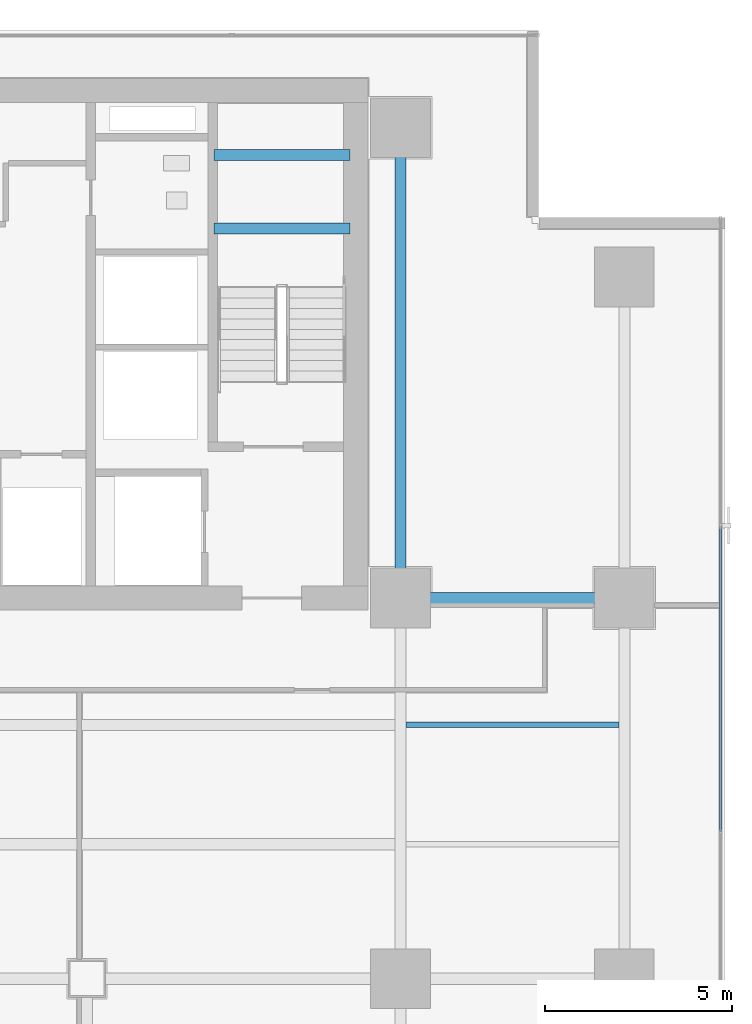
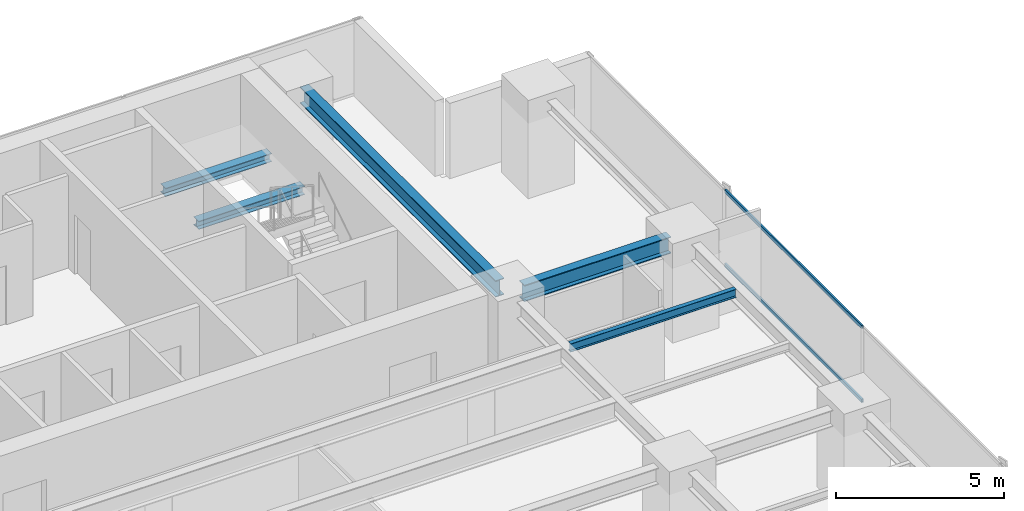
# One storey, part 23 of 37: 5 beams, 2 members, 1 element without a shape of its own.
"""IFC4 building model written with IfcOpenShell, lengths in metres."""

from ifc_helpers import new_model, si_unit, direction, frame, origin, origin_2d, place, context, subcontext, project, spatial, hollow_rectangle, i_section, extrude, source, transform, mapped, material, layer, layer_set, material_profile, profile_set, type_object, element, aggregate, save


model = new_model("IFC4")

# Units and contexts
model_context = context("Model", 3, precision=1e-05, world=origin(), true_north=direction((0.0, 1.0)))
body_context = subcontext(model_context, "Body", "Model", "MODEL_VIEW")
ifc_project = project(units=[si_unit("LENGTHUNIT", "METRE"), si_unit("AREAUNIT", "SQUARE_METRE"), si_unit("VOLUMEUNIT", "CUBIC_METRE"), si_unit("PLANEANGLEUNIT", "RADIAN"), si_unit("MASSUNIT", "GRAM", prefix="KILO")], contexts=[model_context])

# Site, building, storey
site_placement = place(None, origin())
site = spatial("IfcSite", under=ifc_project, at=site_placement, CompositionType="ELEMENT")
building_placement = place(site_placement, origin())
building = spatial("IfcBuilding", under=site, at=building_placement, Name="Sumidabori Civic Tower", CompositionType="ELEMENT")
storey_placement = place(building_placement, frame((0.0, 0.0, 81.199951171875)))
storey = spatial("IfcBuildingStorey", under=building, at=storey_placement, Name="L20", CompositionType="ELEMENT", Elevation=81.199951171875)

# Beams
ifc_material_1 = material(Name="Steel SN490", Category="steel")
ifc_material_profile_1 = material_profile(ifc_material_1, i_section(OverallWidth=0.300048828125, OverallDepth=0.300048828125, WebThickness=0.010986328125, FlangeThickness=0.01904296875, at=origin_2d()), Name="HE 300 B")
ifc_profile_set_1 = profile_set([ifc_material_profile_1], Name="Steel SN490")
beam_type_1 = type_object("IfcBeamType", Name="BM-LDG-300", PredefinedType="BEAM", material=ifc_profile_set_1)
shared_shape_1 = source(origin(), body_context, "Body", "SweptSolid", [
    extrude(i_section(OverallWidth=0.300048828125, OverallDepth=0.300048828125, WebThickness=0.010986328125, FlangeThickness=0.01904296875, at=origin_2d()), origin(), (0.0, 0.0, 1.0), 3.64990234375),
])
for number, where, z_axis, x_axis, name in (
    (1, (11.800048828125, 20.09765625, 1.449951171875), (1.0, 0.0, 0.0), (0.0, 1.0, 0.0), "Stair ST-2 Landing Support Beam L20-1A"),
    (2, (11.800048828125, 22.069580078125, 1.449951171875), (1.0, 0.0, 0.0), (0.0, 1.0, 0.0), "Stair ST-2 Landing Trimmer Beam L20-1B"),
):
    element("IfcBeam", number, at=place(storey_placement, frame(where, z_axis=z_axis, x_axis=x_axis)), inside=storey, type_object=beam_type_1, Name=name, PredefinedType="BEAM", context=body_context, shape_type="MappedRepresentation", body=[
        mapped(shared_shape_1, transform((0.0, 0.0, 0.0), x_axis=(1.0, 0.0, 0.0), y_axis=(0.0, 1.0, 0.0), z_axis=(0.0, 0.0, 1.0), scale=1.0)),
    ])
ifc_material_profile_2 = material_profile(ifc_material_1, i_section(OverallWidth=0.300048828125, OverallDepth=0.60009765625, WebThickness=0.015380859375, FlangeThickness=0.030029296875, at=origin_2d()), Name="HE 600 B")
ifc_profile_set_2 = profile_set([ifc_material_profile_2], Name="Steel SN490")
beam_type_2 = type_object("IfcBeamType", Name="BM-GIRD-600", PredefinedType="BEAM", material=ifc_profile_set_2)
shared_shape_2 = source(origin(), body_context, "Body", "SweptSolid", [
    extrude(i_section(OverallWidth=0.300048828125, OverallDepth=0.60009765625, WebThickness=0.015380859375, FlangeThickness=0.030029296875, at=origin_2d()), origin(), (0.0, 0.0, 1.0), 5.0400390625),
])
beam_1_placement = place(storey_placement, frame((17.280029296875, 10.199951171875, 3.06005859375), z_axis=(1.0, 0.0, 0.0), x_axis=(0.0, 1.0, 0.0)))
element("IfcBeam", 3, at=beam_1_placement, inside=storey, type_object=beam_type_2, Name="Primary Girder L20 GX-20", PredefinedType="BEAM", context=body_context, shape_type="MappedRepresentation", body=[
    mapped(shared_shape_2, transform((0.0, 0.0, 0.0), x_axis=(1.0, 0.0, 0.0), y_axis=(0.0, 1.0, 0.0), z_axis=(0.0, 0.0, 1.0), scale=1.0)),
])
shared_shape_3 = source(origin(), body_context, "Body", "SweptSolid", [
    extrude(i_section(OverallWidth=0.300048828125, OverallDepth=0.60009765625, WebThickness=0.015380859375, FlangeThickness=0.030029296875, at=origin_2d()), origin(), (0.0, 0.0, 1.0), 11.64013671875),
])
beam_2_placement = place(storey_placement, frame((16.800048828125, 10.679931640625, 3.06005859375), z_axis=(0.0, 1.0, 0.0), x_axis=(-1.0, 0.0, 0.0)))
element("IfcBeam", 4, at=beam_2_placement, inside=storey, type_object=beam_type_2, Name="Primary Girder L20 GY-38", PredefinedType="BEAM", context=body_context, shape_type="MappedRepresentation", body=[
    mapped(shared_shape_3, transform((0.0, 0.0, 0.0), x_axis=(1.0, 0.0, 0.0), y_axis=(0.0, 1.0, 0.0), z_axis=(0.0, 0.0, 1.0), scale=1.0)),
])
ifc_material_profile_3 = material_profile(ifc_material_1, i_section(OverallWidth=0.14990234375, OverallDepth=0.300048828125, WebThickness=0.007080078125, FlangeThickness=0.0107421875, at=origin_2d()), Name="IPE 300")
ifc_profile_set_3 = profile_set([ifc_material_profile_3], Name="Steel SN490")
beam_type_3 = type_object("IfcBeamType", Name="BM-JST-300", PredefinedType="JOIST", material=ifc_profile_set_3)
shared_shape_4 = source(origin(), body_context, "Body", "SweptSolid", [
    extrude(i_section(OverallWidth=0.14990234375, OverallDepth=0.300048828125, WebThickness=0.007080078125, FlangeThickness=0.0107421875, at=origin_2d()), origin(), (0.0, 0.0, 1.0), 5.699951171875),
])
beam_3_placement = place(storey_placement, frame((16.949951171875, 6.800048828125, 3.2099609375), z_axis=(1.0, 0.0, 0.0), x_axis=(0.0, 1.0, 0.0)))
element("IfcBeam", 5, at=beam_3_placement, inside=storey, type_object=beam_type_3, Name="Outer Bay Floor Joist L20 JSTO-50", PredefinedType="JOIST", context=body_context, shape_type="MappedRepresentation", body=[
    mapped(shared_shape_4, transform((0.0, 0.0, 0.0), x_axis=(1.0, 0.0, 0.0), y_axis=(0.0, 1.0, 0.0), z_axis=(0.0, 0.0, 1.0), scale=1.0)),
])

# Curtain wall, members
ifc_material_2 = material(Name="Anodised Bronze Aluminium AW-6063-T6", Category="aluminium")
ifc_layer = layer(ifc_material_2, 0.179931640625, Name="Anodised Bronze Aluminium AW-6063-T6")
ifc_layer_set = layer_set([ifc_layer], Name="Anodised Bronze Aluminium AW-6063-T6")
curtain_wall_type = type_object("IfcCurtainWallType", Name="CW-SYS-3", PredefinedType="NOTDEFINED", material=ifc_layer_set)
curtain_wall_placement = place(storey_placement, origin())
curtain_wall = element("IfcCurtainWall", 6, at=curtain_wall_placement, inside=storey, type_object=curtain_wall_type, Name="Curtain Wall CW:L20:R04", PredefinedType="NOTDEFINED")
ifc_material_profile_4 = material_profile(ifc_material_2, hollow_rectangle(XDim=0.06005859375, YDim=0.1298828125, WallThickness=0.0048828125, at=origin_2d()), Name="ALU TRANSOM 130x60")
ifc_profile_set_4 = profile_set([ifc_material_profile_4], Name="Anodised Bronze Aluminium AW-6063-T6")
member_type = type_object("IfcMemberType", Name="CW-TRN-130", PredefinedType="USERDEFINED", material=ifc_profile_set_4)
shared_shape_5 = source(origin(), body_context, "Body", "SweptSolid", [
    extrude(hollow_rectangle(XDim=0.06005859375, YDim=0.1298828125, WallThickness=0.0048828125, at=origin_2d()), origin(), (0.0, 0.0, 1.0), 8.1630859375),
])
member_1_placement = place(storey_placement, frame((25.3798828125, 3.946533203125, 0.030029296875), z_axis=(0.0, 1.0, 0.0), x_axis=(-1.0, 0.0, 0.0)))
member_1 = element("IfcMember", 7, at=member_1_placement, type_object=member_type, Name="CW-3 transom 4.1", ObjectType="TRANSOM", PredefinedType="USERDEFINED", context=body_context, shape_type="MappedRepresentation", body=[
    mapped(shared_shape_5, transform((0.0, 0.0, 0.0), x_axis=(1.0, 0.0, 0.0), y_axis=(0.0, 1.0, 0.0), z_axis=(0.0, 0.0, 1.0), scale=1.0)),
])
member_2_placement = place(storey_placement, frame((25.3798828125, 3.946533203125, 2.7099609375), z_axis=(0.0, 1.0, 0.0), x_axis=(-1.0, 0.0, 0.0)))
member_2 = element("IfcMember", 8, at=member_2_placement, type_object=member_type, Name="CW-3 transom 4.2", ObjectType="TRANSOM", PredefinedType="USERDEFINED", context=body_context, shape_type="MappedRepresentation", body=[
    mapped(shared_shape_5, transform((0.0, 0.0, 0.0), x_axis=(1.0, 0.0, 0.0), y_axis=(0.0, 1.0, 0.0), z_axis=(0.0, 0.0, 1.0), scale=1.0)),
])
aggregate(curtain_wall, [member_1, member_2])

save(model, "model.ifc")
